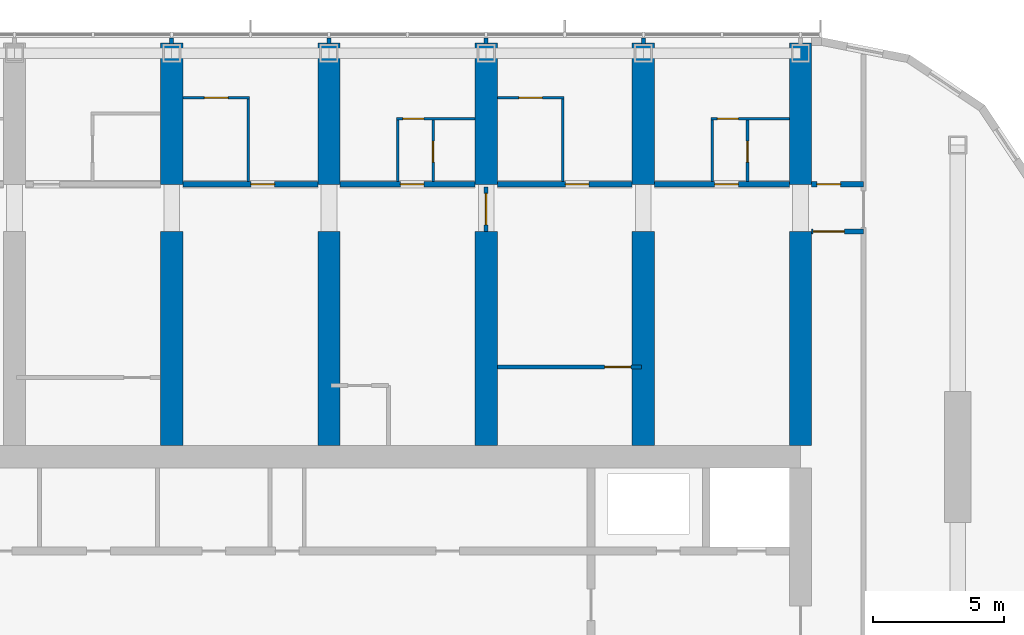
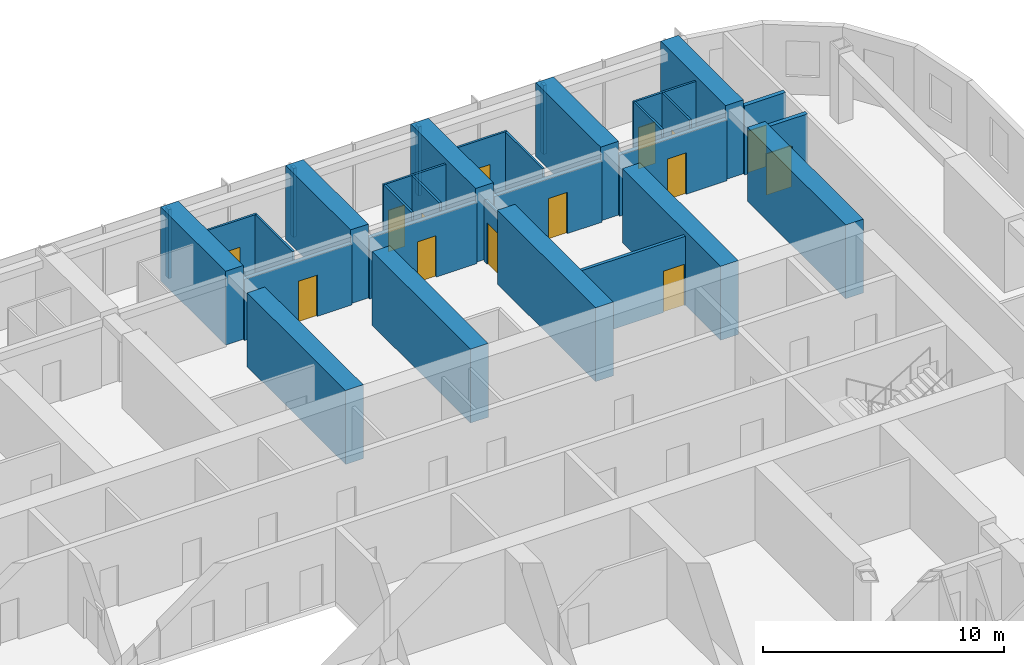
# One storey, part 16 of 22: 32 walls, 14 doors, 14 openings.
"""IFC4 building model written with IfcOpenShell, lengths in metres."""

from ifc_helpers import new_model, si_unit, direction, frame, frame_2d, origin, place, context, subcontext, project, spatial, polyline, rectangle, outline, extrude, material, layer, layer_set, type_object, element, fill, save


model = new_model("IFC4")

# Units and contexts
model_context = context("Model", 3, precision=1e-05, world=origin(), true_north=direction((0.0, 1.0)))
body_context = subcontext(model_context, "Body", "Model", "MODEL_VIEW")
ifc_project = project(units=[si_unit("LENGTHUNIT", "METRE"), si_unit("AREAUNIT", "SQUARE_METRE"), si_unit("VOLUMEUNIT", "CUBIC_METRE"), si_unit("PLANEANGLEUNIT", "RADIAN"), si_unit("MASSUNIT", "GRAM", prefix="KILO")], contexts=[model_context])

# Site, building, storey
site_placement = place(None, origin())
site = spatial("IfcSite", under=ifc_project, at=site_placement, CompositionType="ELEMENT")
building_placement = place(site_placement, origin())
building = spatial("IfcBuilding", under=site, at=building_placement, Name="Orbita Commons", CompositionType="ELEMENT")
storey_placement = place(building_placement, frame((0.0, 0.0, 182.35009765625)))
storey = spatial("IfcBuildingStorey", under=building, at=storey_placement, Name="L45", CompositionType="ELEMENT", Elevation=182.35009765625)

# Wall, opening, door
ifc_material_1 = material(Name="Concrete blockwork", Category="masonry")
ifc_layer_1 = layer(ifc_material_1, 0.199951171875)
ifc_layer_set_1 = layer_set([ifc_layer_1], Name="Concrete blockwork")
wall_type_1 = type_object("IfcWallType", Name="Corridor wall 200 blockwork", PredefinedType="SOLIDWALL", material=ifc_layer_set_1)
wall_1_placement = place(storey_placement, frame((42.425048828125, 48.60009765625, 0.0), z_axis=(0.0, 0.0, 1.0), x_axis=(1.0, 0.0, 0.0)))
wall_1 = element("IfcWall", 1, at=wall_1_placement, inside=storey, type_object=wall_type_1, Name="Corridor wall 200 blockwork L45", PredefinedType="SOLIDWALL", context=body_context, shape_type="SweptSolid", body=[
    extrude(outline(polyline([(0.0, 0.0), (5.14990234375, 0.0), (5.14990234375, 3.099853515625), (0.0, 3.099853515625), (0.0, 0.0)])), frame((0.0, 0.10009765625, 0.0), z_axis=(0.0, -1.0, 0.0), x_axis=(1.0, 0.0, 0.0)), (0.0, 0.0, 1.0), 0.199951171875),
])
opening_1_placement = place(wall_1_placement, frame((2.60009765625, 0.0, 0.0)))
opening_1 = element("IfcOpeningElement", 2, at=opening_1_placement, cuts=wall_1, Name="Opening D11", PredefinedType="OPENING", context=body_context, shape_type="SweptSolid", body=[
    extrude(rectangle(XDim=0.89990234375, YDim=2.10009765625, at=frame_2d((0.449951171875, 1.050048828125))), frame((0.0, 0.10986328125, 0.0), z_axis=(0.0, -1.0, 0.0), x_axis=(1.0, 0.0, 0.0)), (0.0, 0.0, 1.0), 0.219970703125),
])
ifc_material_2 = material(Name="Steel-faced fire door leaf", Category="steel")
door_type_1 = type_object("IfcDoorType", Name="Corridor door 20 min 900x2100", OperationType="SINGLE_SWING_LEFT", PredefinedType="DOOR", material=ifc_material_2)
door_1_placement = place(opening_1_placement, origin())
door_1 = element("IfcDoor", 3, at=door_1_placement, inside=storey, type_object=door_type_1, Name="Twin room L45-N08 door", OperationType="SINGLE_SWING_LEFT", OverallHeight=2.10009765625, OverallWidth=0.89990234375, PredefinedType="DOOR", context=body_context, shape_type="SweptSolid", body=[
    extrude(rectangle(XDim=0.89990234375, YDim=2.10009765625, at=frame_2d((0.449951171875, 1.050048828125))), frame((0.0, 0.02490234375, 0.0), z_axis=(0.0, -1.0, 0.0), x_axis=(1.0, 0.0, 0.0)), (0.0, 0.0, 1.0), 0.050048828125),
])
fill(opening_1, door_1)

wall_2_placement = place(storey_placement, frame((48.425048828125, 48.60009765625, 0.0), z_axis=(0.0, 0.0, 1.0), x_axis=(1.0, 0.0, 0.0)))
wall_2 = element("IfcWall", 4, at=wall_2_placement, inside=storey, type_object=wall_type_1, Name="Corridor wall 200 blockwork L45", PredefinedType="SOLIDWALL", context=body_context, shape_type="SweptSolid", body=[
    extrude(outline(polyline([(0.0, 0.0), (5.14990234375, 0.0), (5.14990234375, 3.099853515625), (0.0, 3.099853515625), (0.0, 0.0)])), frame((0.0, 0.10009765625, 0.0), z_axis=(0.0, -1.0, 0.0), x_axis=(1.0, 0.0, 0.0)), (0.0, 0.0, 1.0), 0.199951171875),
])
opening_2_placement = place(wall_2_placement, frame((2.300048828125, 0.0, 0.0)))
opening_2 = element("IfcOpeningElement", 5, at=opening_2_placement, cuts=wall_2, Name="Opening D11", PredefinedType="OPENING", context=body_context, shape_type="SweptSolid", body=[
    extrude(rectangle(XDim=0.89990234375, YDim=2.10009765625, at=frame_2d((0.449951171875, 1.050048828125))), frame((0.0, 0.10986328125, 0.0), z_axis=(0.0, -1.0, 0.0), x_axis=(1.0, 0.0, 0.0)), (0.0, 0.0, 1.0), 0.219970703125),
])
door_2_placement = place(opening_2_placement, origin())
door_2 = element("IfcDoor", 6, at=door_2_placement, inside=storey, type_object=door_type_1, Name="Studio flat L45-N10 entrance door", OperationType="SINGLE_SWING_LEFT", OverallHeight=2.10009765625, OverallWidth=0.89990234375, PredefinedType="DOOR", context=body_context, shape_type="SweptSolid", body=[
    extrude(rectangle(XDim=0.89990234375, YDim=2.10009765625, at=frame_2d((0.449951171875, 1.050048828125))), frame((0.0, 0.02490234375, 0.0), z_axis=(0.0, -1.0, 0.0), x_axis=(1.0, 0.0, 0.0)), (0.0, 0.0, 1.0), 0.050048828125),
])
fill(opening_2, door_2)

wall_3_placement = place(storey_placement, frame((54.425048828125, 48.60009765625, 0.0), z_axis=(0.0, 0.0, 1.0), x_axis=(1.0, 0.0, 0.0)))
wall_3 = element("IfcWall", 7, at=wall_3_placement, inside=storey, type_object=wall_type_1, Name="Corridor wall 200 blockwork L45", PredefinedType="SOLIDWALL", context=body_context, shape_type="SweptSolid", body=[
    extrude(outline(polyline([(0.0, 0.0), (5.14990234375, 0.0), (5.14990234375, 3.099853515625), (0.0, 3.099853515625), (0.0, 0.0)])), frame((0.0, 0.10009765625, 0.0), z_axis=(0.0, -1.0, 0.0), x_axis=(1.0, 0.0, 0.0)), (0.0, 0.0, 1.0), 0.199951171875),
])
opening_3_placement = place(wall_3_placement, frame((2.60009765625, 0.0, 0.0)))
opening_3 = element("IfcOpeningElement", 8, at=opening_3_placement, cuts=wall_3, Name="Opening D11", PredefinedType="OPENING", context=body_context, shape_type="SweptSolid", body=[
    extrude(rectangle(XDim=0.89990234375, YDim=2.10009765625, at=frame_2d((0.449951171875, 1.050048828125))), frame((0.0, 0.10986328125, 0.0), z_axis=(0.0, -1.0, 0.0), x_axis=(1.0, 0.0, 0.0)), (0.0, 0.0, 1.0), 0.219970703125),
])
door_3_placement = place(opening_3_placement, origin())
door_3 = element("IfcDoor", 9, at=door_3_placement, inside=storey, type_object=door_type_1, Name="Twin room L45-N12 door", OperationType="SINGLE_SWING_LEFT", OverallHeight=2.10009765625, OverallWidth=0.89990234375, PredefinedType="DOOR", context=body_context, shape_type="SweptSolid", body=[
    extrude(rectangle(XDim=0.89990234375, YDim=2.10009765625, at=frame_2d((0.449951171875, 1.050048828125))), frame((0.0, 0.02490234375, 0.0), z_axis=(0.0, -1.0, 0.0), x_axis=(1.0, 0.0, 0.0)), (0.0, 0.0, 1.0), 0.050048828125),
])
fill(opening_3, door_3)

wall_4_placement = place(storey_placement, frame((60.425048828125, 48.60009765625, 0.0), z_axis=(0.0, 0.0, 1.0), x_axis=(1.0, 0.0, 0.0)))
wall_4 = element("IfcWall", 10, at=wall_4_placement, inside=storey, type_object=wall_type_1, Name="Corridor wall 200 blockwork L45", PredefinedType="SOLIDWALL", context=body_context, shape_type="SweptSolid", body=[
    extrude(outline(polyline([(0.0, 0.0), (5.14990234375, 0.0), (5.14990234375, 3.099853515625), (0.0, 3.099853515625), (0.0, 0.0)])), frame((0.0, 0.10009765625, 0.0), z_axis=(0.0, -1.0, 0.0), x_axis=(1.0, 0.0, 0.0)), (0.0, 0.0, 1.0), 0.199951171875),
])
opening_4_placement = place(wall_4_placement, frame((2.300048828125, 0.0, 0.0)))
opening_4 = element("IfcOpeningElement", 11, at=opening_4_placement, cuts=wall_4, Name="Opening D11", PredefinedType="OPENING", context=body_context, shape_type="SweptSolid", body=[
    extrude(rectangle(XDim=0.89990234375, YDim=2.10009765625, at=frame_2d((0.449951171875, 1.050048828125))), frame((0.0, 0.10986328125, 0.0), z_axis=(0.0, -1.0, 0.0), x_axis=(1.0, 0.0, 0.0)), (0.0, 0.0, 1.0), 0.219970703125),
])
door_4_placement = place(opening_4_placement, origin())
door_4 = element("IfcDoor", 12, at=door_4_placement, inside=storey, type_object=door_type_1, Name="Studio flat L45-N14 entrance door", OperationType="SINGLE_SWING_LEFT", OverallHeight=2.10009765625, OverallWidth=0.89990234375, PredefinedType="DOOR", context=body_context, shape_type="SweptSolid", body=[
    extrude(rectangle(XDim=0.89990234375, YDim=2.10009765625, at=frame_2d((0.449951171875, 1.050048828125))), frame((0.0, 0.02490234375, 0.0), z_axis=(0.0, -1.0, 0.0), x_axis=(1.0, 0.0, 0.0)), (0.0, 0.0, 1.0), 0.050048828125),
])
fill(opening_4, door_4)

wall_5_placement = place(storey_placement, frame((66.425048828125, 48.60009765625, 0.0), z_axis=(0.0, 0.0, 1.0), x_axis=(1.0, 0.0, 0.0)))
wall_5 = element("IfcWall", 13, at=wall_5_placement, inside=storey, type_object=wall_type_1, Name="Corridor wall 200 blockwork L45", PredefinedType="SOLIDWALL", context=body_context, shape_type="SweptSolid", body=[
    extrude(rectangle(XDim=1.974853515625, YDim=0.199951171875, at=frame_2d((0.9873046875, 0.0))), origin(), (0.0, 0.0, 1.0), 3.5),
])
opening_5_placement = place(wall_5_placement, frame((0.199951171875, 0.0, 0.0)))
opening_5 = element("IfcOpeningElement", 14, at=opening_5_placement, cuts=wall_5, Name="Opening D05", PredefinedType="OPENING", context=body_context, shape_type="SweptSolid", body=[
    extrude(rectangle(XDim=0.89990234375, YDim=2.10009765625, at=frame_2d((0.449951171875, 1.050048828125))), frame((0.0, 0.10986328125, 0.0), z_axis=(0.0, -1.0, 0.0), x_axis=(1.0, 0.0, 0.0)), (0.0, 0.0, 1.0), 0.219970703125),
])
ifc_material_3 = material(Name="Steel-faced fire door leaf", Category="steel")
door_type_2 = type_object("IfcDoorType", Name="Service door 20 min 900x2100", OperationType="SINGLE_SWING_LEFT", PredefinedType="DOOR", material=ifc_material_3)
door_5_placement = place(opening_5_placement, origin())
door_5 = element("IfcDoor", 15, at=door_5_placement, inside=storey, type_object=door_type_2, Name="Linen store L45-KEN door", OperationType="SINGLE_SWING_LEFT", OverallHeight=2.10009765625, OverallWidth=0.89990234375, PredefinedType="DOOR", context=body_context, shape_type="SweptSolid", body=[
    extrude(rectangle(XDim=0.89990234375, YDim=2.10009765625, at=frame_2d((0.449951171875, 1.050048828125))), frame((0.0, 0.02490234375, 0.0), z_axis=(0.0, -1.0, 0.0), x_axis=(1.0, 0.0, 0.0)), (0.0, 0.0, 1.0), 0.050048828125),
])
fill(opening_5, door_5)

ifc_material_4 = material(Name="Hollow concrete block 200", Category="concrete")
ifc_layer_2 = layer(ifc_material_4, 0.199951171875)
ifc_layer_set_2 = layer_set([ifc_layer_2], Name="Hollow concrete block 200")
wall_type_2 = type_object("IfcWallType", Name="Corridor wall 200 hollow concrete block", PredefinedType="SOLIDWALL", material=ifc_layer_set_2)
wall_6_placement = place(storey_placement, frame((66.425048828125, 46.800048828125, 0.0), z_axis=(0.0, 0.0, 1.0), x_axis=(1.0, 0.0, 0.0)))
wall_6 = element("IfcWall", 16, at=wall_6_placement, inside=storey, type_object=wall_type_2, Name="Corridor wall 200 hollow concrete block L45", PredefinedType="SOLIDWALL", context=body_context, shape_type="SweptSolid", body=[
    extrude(rectangle(XDim=1.974853515625, YDim=0.199951171875, at=frame_2d((0.9873046875, 0.0))), origin(), (0.0, 0.0, 1.0), 3.5),
])
opening_6_placement = place(wall_6_placement, frame((0.050048828125, 0.0, 0.0)))
opening_6 = element("IfcOpeningElement", 17, at=opening_6_placement, cuts=wall_6, Name="Opening D12", PredefinedType="OPENING", context=body_context, shape_type="SweptSolid", body=[
    extrude(rectangle(XDim=1.199951171875, YDim=2.10009765625, at=frame_2d((0.60009765625, 1.050048828125))), frame((0.0, 0.10986328125, 0.0), z_axis=(0.0, -1.0, 0.0), x_axis=(1.0, 0.0, 0.0)), (0.0, 0.0, 1.0), 0.219970703125),
])
ifc_material_5 = material(Name="Steel-faced fire door leaf", Category="steel")
door_type_3 = type_object("IfcDoorType", Name="Double corridor door 20 min 1200x2100", OperationType="DOUBLE_DOOR_SINGLE_SWING", PredefinedType="DOOR", material=ifc_material_5)
door_6_placement = place(opening_6_placement, origin())
door_6 = element("IfcDoor", 18, at=door_6_placement, inside=storey, type_object=door_type_3, Name="Cross corridor doors", OperationType="DOUBLE_DOOR_SINGLE_SWING", OverallHeight=2.10009765625, OverallWidth=1.199951171875, PredefinedType="DOOR", context=body_context, shape_type="SweptSolid", body=[
    extrude(rectangle(XDim=1.199951171875, YDim=2.10009765625, at=frame_2d((0.60009765625, 1.050048828125))), frame((0.0, 0.02490234375, 0.0), z_axis=(0.0, -1.0, 0.0), x_axis=(1.0, 0.0, 0.0)), (0.0, 0.0, 1.0), 0.050048828125),
])
fill(opening_6, door_6)

# Walls
ifc_material_6 = material(Name="Concrete C50/60", Category="concrete")
ifc_layer_3 = layer(ifc_material_6, 0.85009765625)
ifc_layer_set_3 = layer_set([ifc_layer_3], Name="Concrete C50/60")
wall_type_3 = type_object("IfcWallType", Name="Cross wall 850 C50/60", PredefinedType="SHEAR", material=ifc_layer_set_3)
wall_7_placement = place(storey_placement, frame((42.0, 48.60009765625, 0.0), z_axis=(0.0, 0.0, 1.0), x_axis=(0.0, 1.0, 0.0)))
element("IfcWall", 19, at=wall_7_placement, inside=storey, type_object=wall_type_3, Name="Cross wall 8 north outer L45", PredefinedType="SHEAR", context=body_context, shape_type="SweptSolid", body=[
    extrude(rectangle(XDim=5.39990234375, YDim=0.85009765625, at=frame_2d((2.699951171875, 0.0))), origin(), (0.0, 0.0, 1.0), 3.75),
])
wall_8_placement = place(storey_placement, frame((42.0, 38.625, 0.0), z_axis=(0.0, 0.0, 1.0), x_axis=(0.0, 1.0, 0.0)))
element("IfcWall", 20, at=wall_8_placement, inside=storey, type_object=wall_type_3, Name="Cross wall 8 north inner L45", PredefinedType="SHEAR", context=body_context, shape_type="SweptSolid", body=[
    extrude(rectangle(XDim=8.175048828125, YDim=0.85009765625, at=frame_2d((4.08740234375, 0.0))), origin(), (0.0, 0.0, 1.0), 3.75),
])
wall_9_placement = place(storey_placement, frame((48.0, 48.60009765625, 0.0), z_axis=(0.0, 0.0, 1.0), x_axis=(0.0, 1.0, 0.0)))
element("IfcWall", 21, at=wall_9_placement, inside=storey, type_object=wall_type_3, Name="Cross wall 9 north outer L45", PredefinedType="SHEAR", context=body_context, shape_type="SweptSolid", body=[
    extrude(rectangle(XDim=5.39990234375, YDim=0.85009765625, at=frame_2d((2.699951171875, 0.0))), origin(), (0.0, 0.0, 1.0), 3.75),
])
wall_10_placement = place(storey_placement, frame((48.0, 38.625, 0.0), z_axis=(0.0, 0.0, 1.0), x_axis=(0.0, 1.0, 0.0)))
element("IfcWall", 22, at=wall_10_placement, inside=storey, type_object=wall_type_3, Name="Cross wall 9 north inner L45", PredefinedType="SHEAR", context=body_context, shape_type="SweptSolid", body=[
    extrude(rectangle(XDim=8.175048828125, YDim=0.85009765625, at=frame_2d((4.08740234375, 0.0))), origin(), (0.0, 0.0, 1.0), 3.75),
])
wall_11_placement = place(storey_placement, frame((54.0, 48.60009765625, 0.0), z_axis=(0.0, 0.0, 1.0), x_axis=(0.0, 1.0, 0.0)))
element("IfcWall", 23, at=wall_11_placement, inside=storey, type_object=wall_type_3, Name="Cross wall 10 north outer L45", PredefinedType="SHEAR", context=body_context, shape_type="SweptSolid", body=[
    extrude(rectangle(XDim=5.39990234375, YDim=0.85009765625, at=frame_2d((2.699951171875, 0.0))), origin(), (0.0, 0.0, 1.0), 3.75),
])
wall_12_placement = place(storey_placement, frame((54.0, 38.625, 0.0), z_axis=(0.0, 0.0, 1.0), x_axis=(0.0, 1.0, 0.0)))
element("IfcWall", 24, at=wall_12_placement, inside=storey, type_object=wall_type_3, Name="Cross wall 10 north inner L45", PredefinedType="SHEAR", context=body_context, shape_type="SweptSolid", body=[
    extrude(rectangle(XDim=8.175048828125, YDim=0.85009765625, at=frame_2d((4.08740234375, 0.0))), origin(), (0.0, 0.0, 1.0), 3.75),
])
wall_13_placement = place(storey_placement, frame((60.0, 48.60009765625, 0.0), z_axis=(0.0, 0.0, 1.0), x_axis=(0.0, 1.0, 0.0)))
element("IfcWall", 25, at=wall_13_placement, inside=storey, type_object=wall_type_3, Name="Cross wall 11 north outer L45", PredefinedType="SHEAR", context=body_context, shape_type="SweptSolid", body=[
    extrude(rectangle(XDim=5.39990234375, YDim=0.85009765625, at=frame_2d((2.699951171875, 0.0))), origin(), (0.0, 0.0, 1.0), 3.75),
])
wall_14_placement = place(storey_placement, frame((60.0, 38.625, 0.0), z_axis=(0.0, 0.0, 1.0), x_axis=(0.0, 1.0, 0.0)))
element("IfcWall", 26, at=wall_14_placement, inside=storey, type_object=wall_type_3, Name="Cross wall 11 north inner L45", PredefinedType="SHEAR", context=body_context, shape_type="SweptSolid", body=[
    extrude(rectangle(XDim=8.175048828125, YDim=0.85009765625, at=frame_2d((4.08740234375, 0.0))), origin(), (0.0, 0.0, 1.0), 3.75),
])
wall_15_placement = place(storey_placement, frame((66.0, 48.60009765625, 0.0), z_axis=(0.0, 0.0, 1.0), x_axis=(0.0, 1.0, 0.0)))
element("IfcWall", 27, at=wall_15_placement, inside=storey, type_object=wall_type_3, Name="Cross wall 12 north outer L45", PredefinedType="SHEAR", context=body_context, shape_type="SweptSolid", body=[
    extrude(rectangle(XDim=5.39990234375, YDim=0.85009765625, at=frame_2d((2.699951171875, 0.0))), origin(), (0.0, 0.0, 1.0), 3.75),
])
wall_16_placement = place(storey_placement, frame((66.0, 38.625, 0.0), z_axis=(0.0, 0.0, 1.0), x_axis=(0.0, 1.0, 0.0)))
element("IfcWall", 28, at=wall_16_placement, inside=storey, type_object=wall_type_3, Name="Cross wall 12 north inner L45", PredefinedType="SHEAR", context=body_context, shape_type="SweptSolid", body=[
    extrude(rectangle(XDim=8.175048828125, YDim=0.85009765625, at=frame_2d((4.08740234375, 0.0))), origin(), (0.0, 0.0, 1.0), 3.75),
])

# Wall, opening, door
ifc_material_7 = material(Name="Moisture-resistant plasterboard on steel studs", Category="steel")
ifc_layer_4 = layer(ifc_material_7, 0.10009765625)
ifc_layer_set_4 = layer_set([ifc_layer_4], Name="Moisture-resistant plasterboard on steel studs")
wall_type_4 = type_object("IfcWallType", Name="En-suite partition 100", PredefinedType="PARTITIONING", material=ifc_layer_set_4)
wall_17_placement = place(storey_placement, frame((42.425048828125, 51.89990234375, 0.0), z_axis=(0.0, 0.0, 1.0), x_axis=(1.0, 0.0, 0.0)))
wall_17 = element("IfcWall", 29, at=wall_17_placement, inside=storey, type_object=wall_type_4, Name="En-suite partition 100 L45", PredefinedType="PARTITIONING", context=body_context, shape_type="SweptSolid", body=[
    extrude(rectangle(XDim=2.550048828125, YDim=0.10009765625, at=frame_2d((1.27490234375, 0.0))), origin(), (0.0, 0.0, 1.0), 3.5),
])
opening_7_placement = place(wall_17_placement, frame((0.824951171875, 0.0, 0.0)))
opening_7 = element("IfcOpeningElement", 30, at=opening_7_placement, cuts=wall_17, Name="Opening D09", PredefinedType="OPENING", context=body_context, shape_type="SweptSolid", body=[
    extrude(rectangle(XDim=0.89990234375, YDim=2.10009765625, at=frame_2d((0.449951171875, 1.050048828125))), frame((0.0, 0.06005859375, 0.0), z_axis=(0.0, -1.0, 0.0), x_axis=(1.0, 0.0, 0.0)), (0.0, 0.0, 1.0), 0.1201171875),
])
ifc_material_8 = material(Name="Laminated timber door leaf", Category="wood")
door_type_4 = type_object("IfcDoorType", Name="En-suite door 900x2100", OperationType="SINGLE_SWING_RIGHT", PredefinedType="DOOR", material=ifc_material_8)
door_7_placement = place(opening_7_placement, origin())
door_7 = element("IfcDoor", 31, at=door_7_placement, inside=storey, type_object=door_type_4, Name="En-suite L45-N08 door", OperationType="SINGLE_SWING_RIGHT", OverallHeight=2.10009765625, OverallWidth=0.89990234375, PredefinedType="DOOR", context=body_context, shape_type="SweptSolid", body=[
    extrude(rectangle(XDim=0.89990234375, YDim=2.10009765625, at=frame_2d((0.449951171875, 1.050048828125))), frame((0.0, 0.02490234375, 0.0), z_axis=(0.0, -1.0, 0.0), x_axis=(1.0, 0.0, 0.0)), (0.0, 0.0, 1.0), 0.050048828125),
])
fill(opening_7, door_7)

# Wall
wall_18_placement = place(storey_placement, frame((44.925048828125, 51.85009765625, 0.0), z_axis=(0.0, 0.0, 1.0), x_axis=(0.0, -1.0, 0.0)))
element("IfcWall", 32, at=wall_18_placement, inside=storey, type_object=wall_type_4, Name="En-suite partition 100 L45", PredefinedType="PARTITIONING", context=body_context, shape_type="SweptSolid", body=[
    extrude(outline(polyline([(0.0, 0.0), (3.150146484375, 0.0), (3.14990234375, 3.099853515625), (3.10205078125, 3.099853515625), (3.10009765625, 3.5), (0.0, 3.5), (0.0, 0.0)])), frame((0.0, 0.050048828125, 0.0), z_axis=(0.0, -1.0, 0.0), x_axis=(1.0, 0.0, 0.0)), (0.0, 0.0, 1.0), 0.10009765625),
])

# Wall, opening, door
wall_19_placement = place(storey_placement, frame((50.574951171875, 51.10009765625, 0.0), z_axis=(0.0, 0.0, 1.0), x_axis=(1.0, 0.0, 0.0)))
wall_19 = element("IfcWall", 33, at=wall_19_placement, inside=storey, type_object=wall_type_4, Name="En-suite partition 100 L45", PredefinedType="PARTITIONING", context=body_context, shape_type="SweptSolid", body=[
    extrude(rectangle(XDim=3.0, YDim=0.10009765625, at=frame_2d((1.5, 0.0))), origin(), (0.0, 0.0, 1.0), 3.5),
])
opening_8_placement = place(wall_19_placement, frame((0.25, 0.0, 0.0)))
opening_8 = element("IfcOpeningElement", 34, at=opening_8_placement, cuts=wall_19, Name="Opening D16", PredefinedType="OPENING", context=body_context, shape_type="SweptSolid", body=[
    extrude(rectangle(XDim=0.800048828125, YDim=2.10009765625, at=frame_2d((0.39990234375, 1.050048828125))), frame((0.0, 0.06005859375, 0.0), z_axis=(0.0, -1.0, 0.0), x_axis=(1.0, 0.0, 0.0)), (0.0, 0.0, 1.0), 0.1201171875),
])
ifc_material_9 = material(Name="Laminated timber door leaf", Category="wood")
door_type_5 = type_object("IfcDoorType", Name="En-suite door 800x2100", OperationType="SINGLE_SWING_RIGHT", PredefinedType="DOOR", material=ifc_material_9)
door_8_placement = place(opening_8_placement, origin())
door_8 = element("IfcDoor", 35, at=door_8_placement, inside=storey, type_object=door_type_5, Name="Studio flat L45-N10 door", OperationType="SINGLE_SWING_RIGHT", OverallHeight=2.10009765625, OverallWidth=0.800048828125, PredefinedType="DOOR", context=body_context, shape_type="SweptSolid", body=[
    extrude(rectangle(XDim=0.800048828125, YDim=2.10009765625, at=frame_2d((0.39990234375, 1.050048828125))), frame((0.0, 0.02490234375, 0.0), z_axis=(0.0, -1.0, 0.0), x_axis=(1.0, 0.0, 0.0)), (0.0, 0.0, 1.0), 0.050048828125),
])
fill(opening_8, door_8)

# Wall
wall_20_placement = place(storey_placement, frame((50.625, 51.050048828125, 0.0), z_axis=(0.0, 0.0, 1.0), x_axis=(0.0, -1.0, 0.0)))
element("IfcWall", 36, at=wall_20_placement, inside=storey, type_object=wall_type_4, Name="En-suite partition 100 L45", PredefinedType="PARTITIONING", context=body_context, shape_type="SweptSolid", body=[
    extrude(outline(polyline([(0.0, 0.0), (2.35009765625, 0.0), (2.35009765625, 3.099853515625), (2.302001953125, 3.099853515625), (2.300048828125, 3.5), (0.0, 3.5), (0.0, 0.0)])), frame((0.0, 0.050048828125, 0.0), z_axis=(0.0, -1.0, 0.0), x_axis=(1.0, 0.0, 0.0)), (0.0, 0.0, 1.0), 0.10009765625),
])

# Wall, opening, door
wall_21_placement = place(storey_placement, frame((51.97509765625, 51.050048828125, 0.0), z_axis=(0.0, 0.0, 1.0), x_axis=(0.0, -1.0, 0.0)))
wall_21 = element("IfcWall", 37, at=wall_21_placement, inside=storey, type_object=wall_type_4, Name="En-suite partition 100 L45", PredefinedType="PARTITIONING", context=body_context, shape_type="SweptSolid", body=[
    extrude(outline(polyline([(0.0, 0.0), (2.35009765625, 0.0), (2.35009765625, 3.099853515625), (2.302001953125, 3.099853515625), (2.300048828125, 3.5), (0.0, 3.5), (0.0, 0.0)])), frame((0.0, 0.050048828125, 0.0), z_axis=(0.0, -1.0, 0.0), x_axis=(1.0, 0.0, 0.0)), (0.0, 0.0, 1.0), 0.10009765625),
])
opening_9_placement = place(wall_21_placement, frame((0.800048828125, 0.0, 0.0)))
opening_9 = element("IfcOpeningElement", 38, at=opening_9_placement, cuts=wall_21, Name="Opening D16", PredefinedType="OPENING", context=body_context, shape_type="SweptSolid", body=[
    extrude(rectangle(XDim=0.800048828125, YDim=2.10009765625, at=frame_2d((0.39990234375, 1.050048828125))), frame((0.0, 0.06005859375, 0.0), z_axis=(0.0, -1.0, 0.0), x_axis=(1.0, 0.0, 0.0)), (0.0, 0.0, 1.0), 0.1201171875),
])
door_9_placement = place(opening_9_placement, origin())
door_9 = element("IfcDoor", 39, at=door_9_placement, inside=storey, type_object=door_type_5, Name="Studio flat shower room L45-N10 door", OperationType="SINGLE_SWING_RIGHT", OverallHeight=2.10009765625, OverallWidth=0.800048828125, PredefinedType="DOOR", context=body_context, shape_type="SweptSolid", body=[
    extrude(rectangle(XDim=0.800048828125, YDim=2.10009765625, at=frame_2d((0.39990234375, 1.050048828125))), frame((0.0, 0.02490234375, 0.0), z_axis=(0.0, -1.0, 0.0), x_axis=(1.0, 0.0, 0.0)), (0.0, 0.0, 1.0), 0.050048828125),
])
fill(opening_9, door_9)

wall_22_placement = place(storey_placement, frame((54.425048828125, 51.89990234375, 0.0), z_axis=(0.0, 0.0, 1.0), x_axis=(1.0, 0.0, 0.0)))
wall_22 = element("IfcWall", 40, at=wall_22_placement, inside=storey, type_object=wall_type_4, Name="En-suite partition 100 L45", PredefinedType="PARTITIONING", context=body_context, shape_type="SweptSolid", body=[
    extrude(rectangle(XDim=2.550048828125, YDim=0.10009765625, at=frame_2d((1.27490234375, 0.0))), origin(), (0.0, 0.0, 1.0), 3.5),
])
opening_10_placement = place(wall_22_placement, frame((0.824951171875, 0.0, 0.0)))
opening_10 = element("IfcOpeningElement", 41, at=opening_10_placement, cuts=wall_22, Name="Opening D09", PredefinedType="OPENING", context=body_context, shape_type="SweptSolid", body=[
    extrude(rectangle(XDim=0.89990234375, YDim=2.10009765625, at=frame_2d((0.449951171875, 1.050048828125))), frame((0.0, 0.06005859375, 0.0), z_axis=(0.0, -1.0, 0.0), x_axis=(1.0, 0.0, 0.0)), (0.0, 0.0, 1.0), 0.1201171875),
])
door_10_placement = place(opening_10_placement, origin())
door_10 = element("IfcDoor", 42, at=door_10_placement, inside=storey, type_object=door_type_4, Name="En-suite L45-N12 door", OperationType="SINGLE_SWING_RIGHT", OverallHeight=2.10009765625, OverallWidth=0.89990234375, PredefinedType="DOOR", context=body_context, shape_type="SweptSolid", body=[
    extrude(rectangle(XDim=0.89990234375, YDim=2.10009765625, at=frame_2d((0.449951171875, 1.050048828125))), frame((0.0, 0.02490234375, 0.0), z_axis=(0.0, -1.0, 0.0), x_axis=(1.0, 0.0, 0.0)), (0.0, 0.0, 1.0), 0.050048828125),
])
fill(opening_10, door_10)

# Wall
wall_23_placement = place(storey_placement, frame((56.925048828125, 51.85009765625, 0.0), z_axis=(0.0, 0.0, 1.0), x_axis=(0.0, -1.0, 0.0)))
element("IfcWall", 43, at=wall_23_placement, inside=storey, type_object=wall_type_4, Name="En-suite partition 100 L45", PredefinedType="PARTITIONING", context=body_context, shape_type="SweptSolid", body=[
    extrude(outline(polyline([(0.0, 0.0), (3.150146484375, 0.0), (3.14990234375, 3.099853515625), (3.10205078125, 3.099853515625), (3.10009765625, 3.5), (0.0, 3.5), (0.0, 0.0)])), frame((0.0, 0.050048828125, 0.0), z_axis=(0.0, -1.0, 0.0), x_axis=(1.0, 0.0, 0.0)), (0.0, 0.0, 1.0), 0.10009765625),
])

# Wall, opening, door
wall_24_placement = place(storey_placement, frame((62.574951171875, 51.10009765625, 0.0), z_axis=(0.0, 0.0, 1.0), x_axis=(1.0, 0.0, 0.0)))
wall_24 = element("IfcWall", 44, at=wall_24_placement, inside=storey, type_object=wall_type_4, Name="En-suite partition 100 L45", PredefinedType="PARTITIONING", context=body_context, shape_type="SweptSolid", body=[
    extrude(rectangle(XDim=3.0, YDim=0.10009765625, at=frame_2d((1.5, 0.0))), origin(), (0.0, 0.0, 1.0), 3.5),
])
opening_11_placement = place(wall_24_placement, frame((0.25, 0.0, 0.0)))
opening_11 = element("IfcOpeningElement", 45, at=opening_11_placement, cuts=wall_24, Name="Opening D16", PredefinedType="OPENING", context=body_context, shape_type="SweptSolid", body=[
    extrude(rectangle(XDim=0.800048828125, YDim=2.10009765625, at=frame_2d((0.39990234375, 1.050048828125))), frame((0.0, 0.06005859375, 0.0), z_axis=(0.0, -1.0, 0.0), x_axis=(1.0, 0.0, 0.0)), (0.0, 0.0, 1.0), 0.1201171875),
])
door_11_placement = place(opening_11_placement, origin())
door_11 = element("IfcDoor", 46, at=door_11_placement, inside=storey, type_object=door_type_5, Name="Studio flat L45-N14 door", OperationType="SINGLE_SWING_RIGHT", OverallHeight=2.10009765625, OverallWidth=0.800048828125, PredefinedType="DOOR", context=body_context, shape_type="SweptSolid", body=[
    extrude(rectangle(XDim=0.800048828125, YDim=2.10009765625, at=frame_2d((0.39990234375, 1.050048828125))), frame((0.0, 0.02490234375, 0.0), z_axis=(0.0, -1.0, 0.0), x_axis=(1.0, 0.0, 0.0)), (0.0, 0.0, 1.0), 0.050048828125),
])
fill(opening_11, door_11)

# Wall
wall_25_placement = place(storey_placement, frame((62.625, 51.050048828125, 0.0), z_axis=(0.0, 0.0, 1.0), x_axis=(0.0, -1.0, 0.0)))
element("IfcWall", 47, at=wall_25_placement, inside=storey, type_object=wall_type_4, Name="En-suite partition 100 L45", PredefinedType="PARTITIONING", context=body_context, shape_type="SweptSolid", body=[
    extrude(outline(polyline([(0.0, 0.0), (2.35009765625, 0.0), (2.35009765625, 3.099853515625), (2.302001953125, 3.099853515625), (2.300048828125, 3.5), (0.0, 3.5), (0.0, 0.0)])), frame((0.0, 0.050048828125, 0.0), z_axis=(0.0, -1.0, 0.0), x_axis=(1.0, 0.0, 0.0)), (0.0, 0.0, 1.0), 0.10009765625),
])

# Wall, opening, door
wall_26_placement = place(storey_placement, frame((63.97509765625, 51.050048828125, 0.0), z_axis=(0.0, 0.0, 1.0), x_axis=(0.0, -1.0, 0.0)))
wall_26 = element("IfcWall", 48, at=wall_26_placement, inside=storey, type_object=wall_type_4, Name="En-suite partition 100 L45", PredefinedType="PARTITIONING", context=body_context, shape_type="SweptSolid", body=[
    extrude(outline(polyline([(0.0, 0.0), (2.35009765625, 0.0), (2.35009765625, 3.099853515625), (2.302001953125, 3.099853515625), (2.300048828125, 3.5), (0.0, 3.5), (0.0, 0.0)])), frame((0.0, 0.050048828125, 0.0), z_axis=(0.0, -1.0, 0.0), x_axis=(1.0, 0.0, 0.0)), (0.0, 0.0, 1.0), 0.10009765625),
])
opening_12_placement = place(wall_26_placement, frame((0.800048828125, 0.0, 0.0)))
opening_12 = element("IfcOpeningElement", 49, at=opening_12_placement, cuts=wall_26, Name="Opening D16", PredefinedType="OPENING", context=body_context, shape_type="SweptSolid", body=[
    extrude(rectangle(XDim=0.800048828125, YDim=2.10009765625, at=frame_2d((0.39990234375, 1.050048828125))), frame((0.0, 0.06005859375, 0.0), z_axis=(0.0, -1.0, 0.0), x_axis=(1.0, 0.0, 0.0)), (0.0, 0.0, 1.0), 0.1201171875),
])
door_12_placement = place(opening_12_placement, origin())
door_12 = element("IfcDoor", 50, at=door_12_placement, inside=storey, type_object=door_type_5, Name="Studio flat shower room L45-N14 door", OperationType="SINGLE_SWING_RIGHT", OverallHeight=2.10009765625, OverallWidth=0.800048828125, PredefinedType="DOOR", context=body_context, shape_type="SweptSolid", body=[
    extrude(rectangle(XDim=0.800048828125, YDim=2.10009765625, at=frame_2d((0.39990234375, 1.050048828125))), frame((0.0, 0.02490234375, 0.0), z_axis=(0.0, -1.0, 0.0), x_axis=(1.0, 0.0, 0.0)), (0.0, 0.0, 1.0), 0.050048828125),
])
fill(opening_12, door_12)

ifc_material_10 = material(Name="Gypsum plasterboard on steel studs", Category="steel")
ifc_layer_5 = layer(ifc_material_10, 0.14990234375)
ifc_layer_set_5 = layer_set([ifc_layer_5], Name="Gypsum plasterboard on steel studs")
wall_type_5 = type_object("IfcWallType", Name="Partition 150 plasterboard", PredefinedType="PARTITIONING", material=ifc_layer_set_5)
wall_27_placement = place(storey_placement, frame((59.925048828125, 41.625, 0.0), z_axis=(0.0, 0.0, 1.0), x_axis=(-1.0, 0.0, 0.0)))
wall_27 = element("IfcWall", 51, at=wall_27_placement, inside=storey, type_object=wall_type_5, Name="Partition 150 plasterboard L45", PredefinedType="PARTITIONING", context=body_context, shape_type="SweptSolid", body=[
    extrude(rectangle(XDim=5.5, YDim=0.14990234375, at=frame_2d((2.75, 0.0))), origin(), (0.0, 0.0, 1.0), 3.5),
])
opening_13_placement = place(wall_27_placement, frame((0.39990234375, 0.0, 0.0)))
opening_13 = element("IfcOpeningElement", 52, at=opening_13_placement, cuts=wall_27, Name="Opening D18", PredefinedType="OPENING", context=body_context, shape_type="SweptSolid", body=[
    extrude(rectangle(XDim=1.0, YDim=2.10009765625, at=frame_2d((0.5, 1.050048828125))), frame((0.0, 0.0849609375, 0.0), z_axis=(0.0, -1.0, 0.0), x_axis=(1.0, 0.0, 0.0)), (0.0, 0.0, 1.0), 0.169921875),
])
ifc_material_11 = material(Name="Steel-faced fire door leaf", Category="steel")
door_type_6 = type_object("IfcDoorType", Name="Service door 20 min 1000x2100", OperationType="SINGLE_SWING_LEFT", PredefinedType="DOOR", material=ifc_material_11)
door_13_placement = place(opening_13_placement, origin())
door_13 = element("IfcDoor", 53, at=door_13_placement, inside=storey, type_object=door_type_6, Name="Bulk and luggage store L45-BDN54 door", OperationType="SINGLE_SWING_LEFT", OverallHeight=2.10009765625, OverallWidth=1.0, PredefinedType="DOOR", context=body_context, shape_type="SweptSolid", body=[
    extrude(rectangle(XDim=1.0, YDim=2.10009765625, at=frame_2d((0.5, 1.050048828125))), frame((0.0, 0.02490234375, 0.0), z_axis=(0.0, -1.0, 0.0), x_axis=(1.0, 0.0, 0.0)), (0.0, 0.0, 1.0), 0.050048828125),
])
fill(opening_13, door_13)

wall_28_placement = place(storey_placement, frame((54.0, 46.800048828125, 0.0), z_axis=(0.0, 0.0, 1.0), x_axis=(0.0, 1.0, 0.0)))
wall_28 = element("IfcWall", 54, at=wall_28_placement, inside=storey, type_object=wall_type_5, Name="Partition 150 plasterboard L45", PredefinedType="PARTITIONING", context=body_context, shape_type="SweptSolid", body=[
    extrude(outline(polyline([(0.0, 0.0), (1.699951171875, 0.0), (1.699951171875, 3.099853515625), (0.0, 3.099853515625), (0.0, 0.0)])), frame((0.0, 0.074951171875, 0.0), z_axis=(0.0, -1.0, 0.0), x_axis=(1.0, 0.0, 0.0)), (0.0, 0.0, 1.0), 0.14990234375),
])
opening_14_placement = place(wall_28_placement, frame((0.25, 0.0, 0.0)))
opening_14 = element("IfcOpeningElement", 55, at=opening_14_placement, cuts=wall_28, Name="Opening D12", PredefinedType="OPENING", context=body_context, shape_type="SweptSolid", body=[
    extrude(rectangle(XDim=1.199951171875, YDim=2.10009765625, at=frame_2d((0.60009765625, 1.050048828125))), frame((0.0, 0.0849609375, 0.0), z_axis=(0.0, -1.0, 0.0), x_axis=(1.0, 0.0, 0.0)), (0.0, 0.0, 1.0), 0.169921875),
])
door_14_placement = place(opening_14_placement, origin())
door_14 = element("IfcDoor", 56, at=door_14_placement, inside=storey, type_object=door_type_3, Name="Social spine north screen doors", OperationType="DOUBLE_DOOR_SINGLE_SWING", OverallHeight=2.10009765625, OverallWidth=1.199951171875, PredefinedType="DOOR", context=body_context, shape_type="SweptSolid", body=[
    extrude(rectangle(XDim=1.199951171875, YDim=2.10009765625, at=frame_2d((0.60009765625, 1.050048828125))), frame((0.0, 0.02490234375, 0.0), z_axis=(0.0, -1.0, 0.0), x_axis=(1.0, 0.0, 0.0)), (0.0, 0.0, 1.0), 0.050048828125),
])
fill(opening_14, door_14)

# Walls
for number, where, z_axis, x_axis, name in (
    (57, (42.0, 53.949951171875, 0.0), (0.0, 0.0, 1.0), (0.0, 1.0, 0.0), "Partition 150 plasterboard L45"),
    (58, (48.0, 53.949951171875, 0.0), (0.0, 0.0, 1.0), (0.0, 1.0, 0.0), "Partition 150 plasterboard L45"),
    (59, (54.0, 53.949951171875, 0.0), (0.0, 0.0, 1.0), (0.0, 1.0, 0.0), "Partition 150 plasterboard L45"),
    (60, (60.0, 53.949951171875, 0.0), (0.0, 0.0, 1.0), (0.0, 1.0, 0.0), "Partition 150 plasterboard L45"),
):
    element("IfcWall", number, at=place(storey_placement, frame(where, z_axis=z_axis, x_axis=x_axis)), inside=storey, type_object=wall_type_5, Name=name, PredefinedType="PARTITIONING", context=body_context, shape_type="SweptSolid", body=[
        extrude(rectangle(XDim=0.239990234375, YDim=0.14990234375, at=frame_2d((0.1201171875, 0.0))), origin(), (0.0, 0.0, 1.0), 3.5),
    ])

save(model, "model.ifc")
